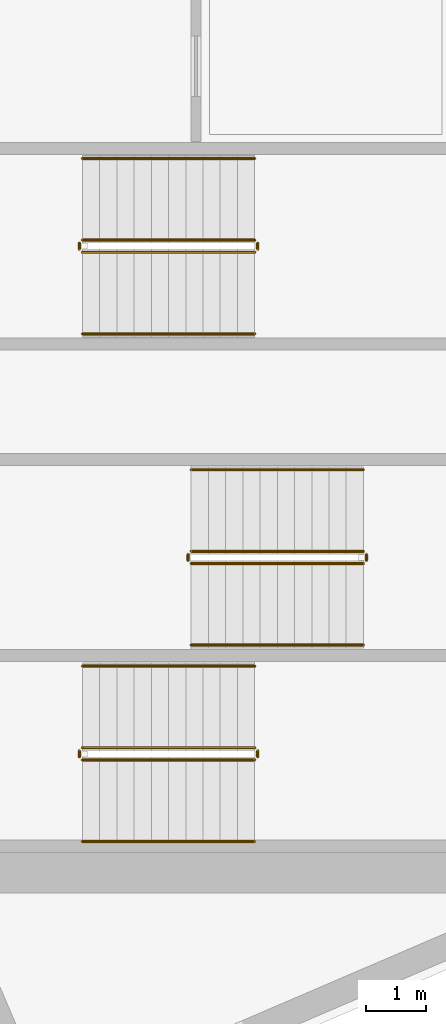
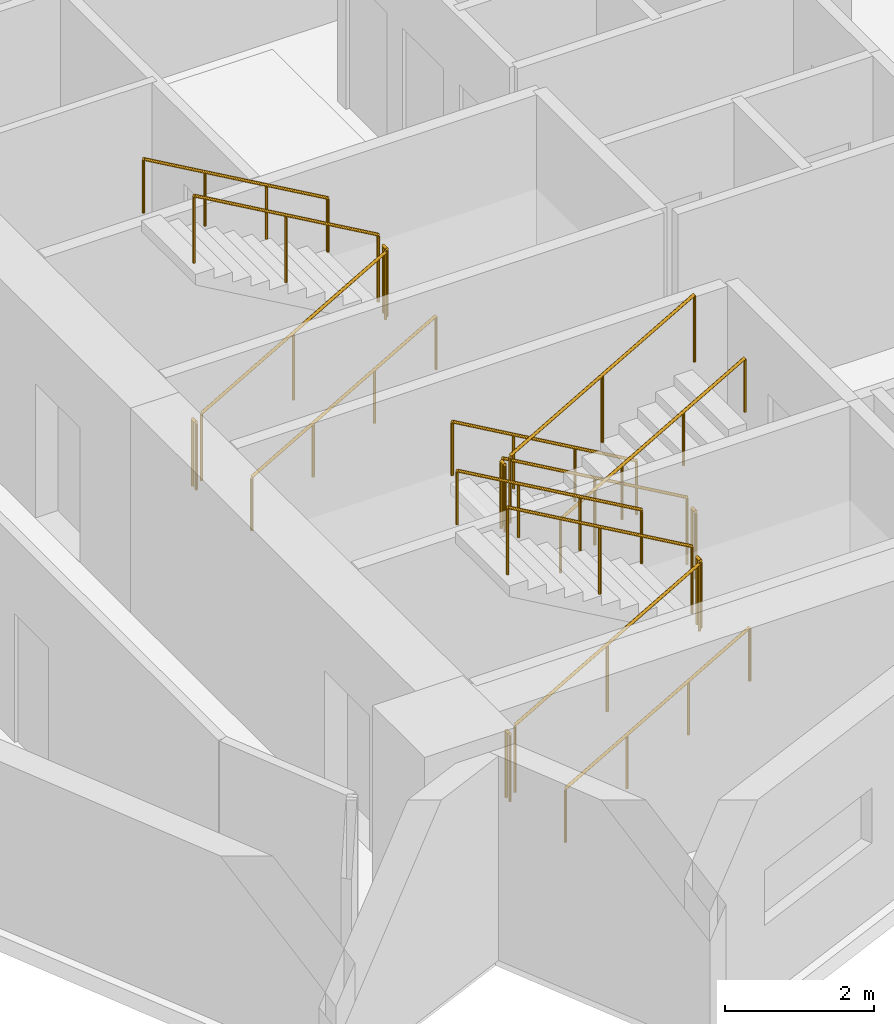
# One storey, part 13 of 14: 18 railings.
"""IFC4 building model written with IfcOpenShell, lengths in metres."""

from ifc_helpers import new_model, si_unit, direction, frame, origin, origin_2d, place, context, subcontext, project, spatial, circle, extrude, material, type_object, element, save


model = new_model("IFC4")

# Units and contexts
model_context = context("Model", 3, precision=1e-05, world=origin(), true_north=direction((0.0, 1.0)))
body_context = subcontext(model_context, "Body", "Model", "MODEL_VIEW")
ifc_project = project(units=[si_unit("LENGTHUNIT", "METRE"), si_unit("AREAUNIT", "SQUARE_METRE"), si_unit("VOLUMEUNIT", "CUBIC_METRE"), si_unit("PLANEANGLEUNIT", "RADIAN"), si_unit("MASSUNIT", "GRAM", prefix="KILO")], contexts=[model_context])

# Site, building, storey
site_placement = place(None, origin())
site = spatial("IfcSite", under=ifc_project, at=site_placement, CompositionType="ELEMENT")
building_placement = place(site_placement, origin())
building = spatial("IfcBuilding", under=site, at=building_placement, Name="Narakoshi Arena Tower", CompositionType="ELEMENT")
storey_placement = place(building_placement, frame((0.0, 0.0, 175.5)))
storey = spatial("IfcBuildingStorey", under=building, at=storey_placement, Name="L47", CompositionType="ELEMENT", Elevation=175.5)

# Railings
ifc_material_1 = material(Name="Clear low-iron laminated structural glass", Category="glass")
railing_type_1 = type_object("IfcRailingType", Name="RL-BAL-1100", PredefinedType="BALUSTRADE", material=ifc_material_1)
railing_1_placement = place(storey_placement, frame((74.39990234375, 36.949951171875, 0.16357421875)))
element("IfcRailing", 1, at=railing_1_placement, inside=storey, type_object=railing_type_1, Name="L47 ST1 stair guard 1", PredefinedType="BALUSTRADE", context=body_context, shape_type="SweptSolid", body=[
    extrude(circle(Radius=0.02392578125, at=origin_2d()), frame((0.0, 0.0, 1.09619140625), z_axis=(0.86721270334, 0.0, 0.497937874806), x_axis=(0.0, 1.0, 0.0)), (0.0, 0.0, 1.0), 3.28662109375),
    extrude(circle(Radius=0.02099609375, at=origin_2d()), origin(), (0.0, 0.0, 1.0), 1.072021484375),
    extrude(circle(Radius=0.02099609375, at=origin_2d()), frame((1.425048828125, 0.0, 0.818359375)), (0.0, 0.0, 1.0), 1.072021484375),
    extrude(circle(Radius=0.02099609375, at=origin_2d()), frame((2.85009765625, 0.0, 1.636474609375)), (0.0, 0.0, 1.0), 1.072021484375),
])
railing_2_placement = place(storey_placement, frame((77.300048828125, 37.0, 1.800048828125)))
element("IfcRailing", 2, at=railing_2_placement, inside=storey, type_object=railing_type_1, Name="L47 ST1 stair guard 2", PredefinedType="BALUSTRADE", context=body_context, shape_type="SweptSolid", body=[
    extrude(circle(Radius=0.02392578125, at=origin_2d()), frame((0.0, 0.0, 1.09619140625), z_axis=(0.0, 1.0, 0.0), x_axis=(-1.0, 0.0, 0.0)), (0.0, 0.0, 1.0), 0.10009765625),
    extrude(circle(Radius=0.02099609375, at=origin_2d()), origin(), (0.0, 0.0, 1.0), 1.072021484375),
    extrude(circle(Radius=0.02099609375, at=origin_2d()), frame((0.0, 0.10009765625, 0.0)), (0.0, 0.0, 1.0), 1.072021484375),
])
railing_3_placement = place(storey_placement, frame((77.25, 37.14990234375, 1.963623046875)))
element("IfcRailing", 3, at=railing_3_placement, inside=storey, type_object=railing_type_1, Name="L47 ST1 stair guard 3", PredefinedType="BALUSTRADE", context=body_context, shape_type="SweptSolid", body=[
    extrude(circle(Radius=0.02392578125, at=origin_2d()), frame((0.0, 0.0, 1.09619140625), z_axis=(-0.86721270334, 0.0, 0.497937874806), x_axis=(0.0, -1.0, 0.0)), (0.0, 0.0, 1.0), 3.28662109375),
    extrude(circle(Radius=0.02099609375, at=origin_2d()), origin(), (0.0, 0.0, 1.0), 1.072021484375),
    extrude(circle(Radius=0.02099609375, at=origin_2d()), frame((-1.425048828125, 0.0, 0.818359375)), (0.0, 0.0, 1.0), 1.072021484375),
    extrude(circle(Radius=0.02099609375, at=origin_2d()), frame((-2.85009765625, 0.0, 1.636474609375)), (0.0, 0.0, 1.0), 1.072021484375),
])
railing_4_placement = place(storey_placement, frame((74.35009765625, 37.0, 0.0)))
element("IfcRailing", 4, at=railing_4_placement, inside=storey, type_object=railing_type_1, Name="L47 ST1 stair guard 4", PredefinedType="BALUSTRADE", context=body_context, shape_type="SweptSolid", body=[
    extrude(circle(Radius=0.02392578125, at=origin_2d()), frame((0.0, 0.0, 1.09619140625), z_axis=(0.0, 1.0, 0.0), x_axis=(-1.0, 0.0, 0.0)), (0.0, 0.0, 1.0), 0.10009765625),
    extrude(circle(Radius=0.02099609375, at=origin_2d()), origin(), (0.0, 0.0, 1.0), 1.072021484375),
    extrude(circle(Radius=0.02099609375, at=origin_2d()), frame((0.0, 0.10009765625, 0.0)), (0.0, 0.0, 1.0), 1.072021484375),
])
railing_5_placement = place(storey_placement, frame((79.050048828125, 40.39990234375, 0.16357421875)))
element("IfcRailing", 5, at=railing_5_placement, inside=storey, type_object=railing_type_1, Name="L47 ST2 stair guard 1", PredefinedType="BALUSTRADE", context=body_context, shape_type="SweptSolid", body=[
    extrude(circle(Radius=0.02392578125, at=origin_2d()), frame((0.0, 0.0, 1.09619140625), z_axis=(-0.86721270334, 0.0, 0.497937874806), x_axis=(0.0, -1.0, 0.0)), (0.0, 0.0, 1.0), 3.28662109375),
    extrude(circle(Radius=0.02099609375, at=origin_2d()), origin(), (0.0, 0.0, 1.0), 1.072021484375),
    extrude(circle(Radius=0.02099609375, at=origin_2d()), frame((-1.425048828125, 0.0, 0.818359375)), (0.0, 0.0, 1.0), 1.072021484375),
    extrude(circle(Radius=0.02099609375, at=origin_2d()), frame((-2.85009765625, 0.0, 1.636474609375)), (0.0, 0.0, 1.0), 1.072021484375),
])
railing_6_placement = place(storey_placement, frame((76.14990234375, 40.35009765625, 1.800048828125)))
element("IfcRailing", 6, at=railing_6_placement, inside=storey, type_object=railing_type_1, Name="L47 ST2 stair guard 2", PredefinedType="BALUSTRADE", context=body_context, shape_type="SweptSolid", body=[
    extrude(circle(Radius=0.02392578125, at=origin_2d()), frame((0.0, 0.0, 1.09619140625), z_axis=(0.0, -1.0, 0.0), x_axis=(1.0, 0.0, 0.0)), (0.0, 0.0, 1.0), 0.10009765625),
    extrude(circle(Radius=0.02099609375, at=origin_2d()), origin(), (0.0, 0.0, 1.0), 1.072021484375),
    extrude(circle(Radius=0.02099609375, at=origin_2d()), frame((0.0, -0.10009765625, 0.0)), (0.0, 0.0, 1.0), 1.072021484375),
])
railing_7_placement = place(storey_placement, frame((76.199951171875, 40.199951171875, 1.963623046875)))
element("IfcRailing", 7, at=railing_7_placement, inside=storey, type_object=railing_type_1, Name="L47 ST2 stair guard 3", PredefinedType="BALUSTRADE", context=body_context, shape_type="SweptSolid", body=[
    extrude(circle(Radius=0.02392578125, at=origin_2d()), frame((0.0, 0.0, 1.09619140625), z_axis=(0.86721270334, 0.0, 0.497937874806), x_axis=(0.0, 1.0, 0.0)), (0.0, 0.0, 1.0), 3.28662109375),
    extrude(circle(Radius=0.02099609375, at=origin_2d()), origin(), (0.0, 0.0, 1.0), 1.072021484375),
    extrude(circle(Radius=0.02099609375, at=origin_2d()), frame((1.425048828125, 0.0, 0.818359375)), (0.0, 0.0, 1.0), 1.072021484375),
    extrude(circle(Radius=0.02099609375, at=origin_2d()), frame((2.85009765625, 0.0, 1.636474609375)), (0.0, 0.0, 1.0), 1.072021484375),
])
railing_8_placement = place(storey_placement, frame((79.10009765625, 40.35009765625, 0.0)))
element("IfcRailing", 8, at=railing_8_placement, inside=storey, type_object=railing_type_1, Name="L47 ST2 stair guard 4", PredefinedType="BALUSTRADE", context=body_context, shape_type="SweptSolid", body=[
    extrude(circle(Radius=0.02392578125, at=origin_2d()), frame((0.0, 0.0, 1.09619140625), z_axis=(0.0, -1.0, 0.0), x_axis=(1.0, 0.0, 0.0)), (0.0, 0.0, 1.0), 0.10009765625),
    extrude(circle(Radius=0.02099609375, at=origin_2d()), origin(), (0.0, 0.0, 1.0), 1.072021484375),
    extrude(circle(Radius=0.02099609375, at=origin_2d()), frame((0.0, -0.10009765625, 0.0)), (0.0, 0.0, 1.0), 1.072021484375),
])
railing_9_placement = place(storey_placement, frame((74.39990234375, 45.35009765625, 0.16357421875)))
element("IfcRailing", 9, at=railing_9_placement, inside=storey, type_object=railing_type_1, Name="L47 ST3 stair guard 1", PredefinedType="BALUSTRADE", context=body_context, shape_type="SweptSolid", body=[
    extrude(circle(Radius=0.02392578125, at=origin_2d()), frame((0.0, 0.0, 1.09619140625), z_axis=(0.86721270334, 0.0, 0.497937874806), x_axis=(0.0, 1.0, 0.0)), (0.0, 0.0, 1.0), 3.28662109375),
    extrude(circle(Radius=0.02099609375, at=origin_2d()), origin(), (0.0, 0.0, 1.0), 1.072021484375),
    extrude(circle(Radius=0.02099609375, at=origin_2d()), frame((1.425048828125, 0.0, 0.818359375)), (0.0, 0.0, 1.0), 1.072021484375),
    extrude(circle(Radius=0.02099609375, at=origin_2d()), frame((2.85009765625, 0.0, 1.636474609375)), (0.0, 0.0, 1.0), 1.072021484375),
])
railing_10_placement = place(storey_placement, frame((77.300048828125, 45.39990234375, 1.800048828125)))
element("IfcRailing", 10, at=railing_10_placement, inside=storey, type_object=railing_type_1, Name="L47 ST3 stair guard 2", PredefinedType="BALUSTRADE", context=body_context, shape_type="SweptSolid", body=[
    extrude(circle(Radius=0.02392578125, at=origin_2d()), frame((0.0, 0.0, 1.09619140625), z_axis=(0.0, 1.0, 0.0), x_axis=(-1.0, 0.0, 0.0)), (0.0, 0.0, 1.0), 0.10009765625),
    extrude(circle(Radius=0.02099609375, at=origin_2d()), origin(), (0.0, 0.0, 1.0), 1.072021484375),
    extrude(circle(Radius=0.02099609375, at=origin_2d()), frame((0.0, 0.10009765625, 0.0)), (0.0, 0.0, 1.0), 1.072021484375),
])
railing_11_placement = place(storey_placement, frame((77.25, 45.550048828125, 1.963623046875)))
element("IfcRailing", 11, at=railing_11_placement, inside=storey, type_object=railing_type_1, Name="L47 ST3 stair guard 3", PredefinedType="BALUSTRADE", context=body_context, shape_type="SweptSolid", body=[
    extrude(circle(Radius=0.02392578125, at=origin_2d()), frame((0.0, 0.0, 1.09619140625), z_axis=(-0.86721270334, 0.0, 0.497937874806), x_axis=(0.0, -1.0, 0.0)), (0.0, 0.0, 1.0), 3.28662109375),
    extrude(circle(Radius=0.02099609375, at=origin_2d()), origin(), (0.0, 0.0, 1.0), 1.072021484375),
    extrude(circle(Radius=0.02099609375, at=origin_2d()), frame((-1.425048828125, 0.0, 0.818359375)), (0.0, 0.0, 1.0), 1.072021484375),
    extrude(circle(Radius=0.02099609375, at=origin_2d()), frame((-2.85009765625, 0.0, 1.636474609375)), (0.0, 0.0, 1.0), 1.072021484375),
])
railing_12_placement = place(storey_placement, frame((74.35009765625, 45.39990234375, 0.0)))
element("IfcRailing", 12, at=railing_12_placement, inside=storey, type_object=railing_type_1, Name="L47 ST3 stair guard 4", PredefinedType="BALUSTRADE", context=body_context, shape_type="SweptSolid", body=[
    extrude(circle(Radius=0.02392578125, at=origin_2d()), frame((0.0, 0.0, 1.09619140625), z_axis=(0.0, 1.0, 0.0), x_axis=(-1.0, 0.0, 0.0)), (0.0, 0.0, 1.0), 0.10009765625),
    extrude(circle(Radius=0.02099609375, at=origin_2d()), origin(), (0.0, 0.0, 1.0), 1.072021484375),
    extrude(circle(Radius=0.02099609375, at=origin_2d()), frame((0.0, 0.10009765625, 0.0)), (0.0, 0.0, 1.0), 1.072021484375),
])
ifc_material_2 = material(Name="Brushed bronze stainless steel", Category="steel")
railing_type_2 = type_object("IfcRailingType", Name="RL-HND-900", PredefinedType="HANDRAIL", material=ifc_material_2)
railing_13_placement = place(storey_placement, frame((74.39990234375, 35.60009765625, 0.16357421875)))
element("IfcRailing", 13, at=railing_13_placement, inside=storey, type_object=railing_type_2, Name="L47 ST1 stair handrail 1", PredefinedType="HANDRAIL", context=body_context, shape_type="SweptSolid", body=[
    extrude(circle(Radius=0.02392578125, at=origin_2d()), frame((0.0, 0.0, 0.8759765625), z_axis=(0.86721270334, 0.0, 0.497937874806), x_axis=(0.0, 1.0, 0.0)), (0.0, 0.0, 1.0), 3.28662109375),
    extrude(circle(Radius=0.02099609375, at=origin_2d()), origin(), (0.0, 0.0, 1.0), 0.851806640625),
    extrude(circle(Radius=0.02099609375, at=origin_2d()), frame((0.949951171875, 0.0, 0.54541015625)), (0.0, 0.0, 1.0), 0.851806640625),
    extrude(circle(Radius=0.02099609375, at=origin_2d()), frame((1.900146484375, 0.0, 1.091064453125)), (0.0, 0.0, 1.0), 0.851806640625),
    extrude(circle(Radius=0.02099609375, at=origin_2d()), frame((2.85009765625, 0.0, 1.636474609375)), (0.0, 0.0, 1.0), 0.851806640625),
])
for number, where, name in (
    (14, (77.25, 38.5, 1.963623046875), "L47 ST1 stair handrail 2"),
    (15, (79.050048828125, 41.75, 0.16357421875), "L47 ST2 stair handrail 1"),
):
    element("IfcRailing", number, at=place(storey_placement, frame(where)), inside=storey, type_object=railing_type_2, Name=name, PredefinedType="HANDRAIL", context=body_context, shape_type="SweptSolid", body=[
        extrude(circle(Radius=0.02392578125, at=origin_2d()), frame((0.0, 0.0, 0.8759765625), z_axis=(-0.86721270334, 0.0, 0.497937874806), x_axis=(0.0, -1.0, 0.0)), (0.0, 0.0, 1.0), 3.28662109375),
        extrude(circle(Radius=0.02099609375, at=origin_2d()), origin(), (0.0, 0.0, 1.0), 0.851806640625),
        extrude(circle(Radius=0.02099609375, at=origin_2d()), frame((-0.949951171875, 0.0, 0.54541015625)), (0.0, 0.0, 1.0), 0.851806640625),
        extrude(circle(Radius=0.02099609375, at=origin_2d()), frame((-1.900146484375, 0.0, 1.091064453125)), (0.0, 0.0, 1.0), 0.851806640625),
        extrude(circle(Radius=0.02099609375, at=origin_2d()), frame((-2.85009765625, 0.0, 1.636474609375)), (0.0, 0.0, 1.0), 0.851806640625),
    ])
for number, where, name in (
    (16, (76.199951171875, 38.85009765625, 1.963623046875), "L47 ST2 stair handrail 2"),
    (17, (74.39990234375, 44.0, 0.16357421875), "L47 ST3 stair handrail 1"),
):
    element("IfcRailing", number, at=place(storey_placement, frame(where)), inside=storey, type_object=railing_type_2, Name=name, PredefinedType="HANDRAIL", context=body_context, shape_type="SweptSolid", body=[
        extrude(circle(Radius=0.02392578125, at=origin_2d()), frame((0.0, 0.0, 0.8759765625), z_axis=(0.86721270334, 0.0, 0.497937874806), x_axis=(0.0, 1.0, 0.0)), (0.0, 0.0, 1.0), 3.28662109375),
        extrude(circle(Radius=0.02099609375, at=origin_2d()), origin(), (0.0, 0.0, 1.0), 0.851806640625),
        extrude(circle(Radius=0.02099609375, at=origin_2d()), frame((0.949951171875, 0.0, 0.54541015625)), (0.0, 0.0, 1.0), 0.851806640625),
        extrude(circle(Radius=0.02099609375, at=origin_2d()), frame((1.900146484375, 0.0, 1.091064453125)), (0.0, 0.0, 1.0), 0.851806640625),
        extrude(circle(Radius=0.02099609375, at=origin_2d()), frame((2.85009765625, 0.0, 1.636474609375)), (0.0, 0.0, 1.0), 0.851806640625),
    ])
railing_14_placement = place(storey_placement, frame((77.25, 46.89990234375, 1.963623046875)))
element("IfcRailing", 18, at=railing_14_placement, inside=storey, type_object=railing_type_2, Name="L47 ST3 stair handrail 2", PredefinedType="HANDRAIL", context=body_context, shape_type="SweptSolid", body=[
    extrude(circle(Radius=0.02392578125, at=origin_2d()), frame((0.0, 0.0, 0.8759765625), z_axis=(-0.86721270334, 0.0, 0.497937874806), x_axis=(0.0, -1.0, 0.0)), (0.0, 0.0, 1.0), 3.28662109375),
    extrude(circle(Radius=0.02099609375, at=origin_2d()), origin(), (0.0, 0.0, 1.0), 0.851806640625),
    extrude(circle(Radius=0.02099609375, at=origin_2d()), frame((-0.949951171875, 0.0, 0.54541015625)), (0.0, 0.0, 1.0), 0.851806640625),
    extrude(circle(Radius=0.02099609375, at=origin_2d()), frame((-1.900146484375, 0.0, 1.091064453125)), (0.0, 0.0, 1.0), 0.851806640625),
    extrude(circle(Radius=0.02099609375, at=origin_2d()), frame((-2.85009765625, 0.0, 1.636474609375)), (0.0, 0.0, 1.0), 0.851806640625),
])

save(model, "model.ifc")
